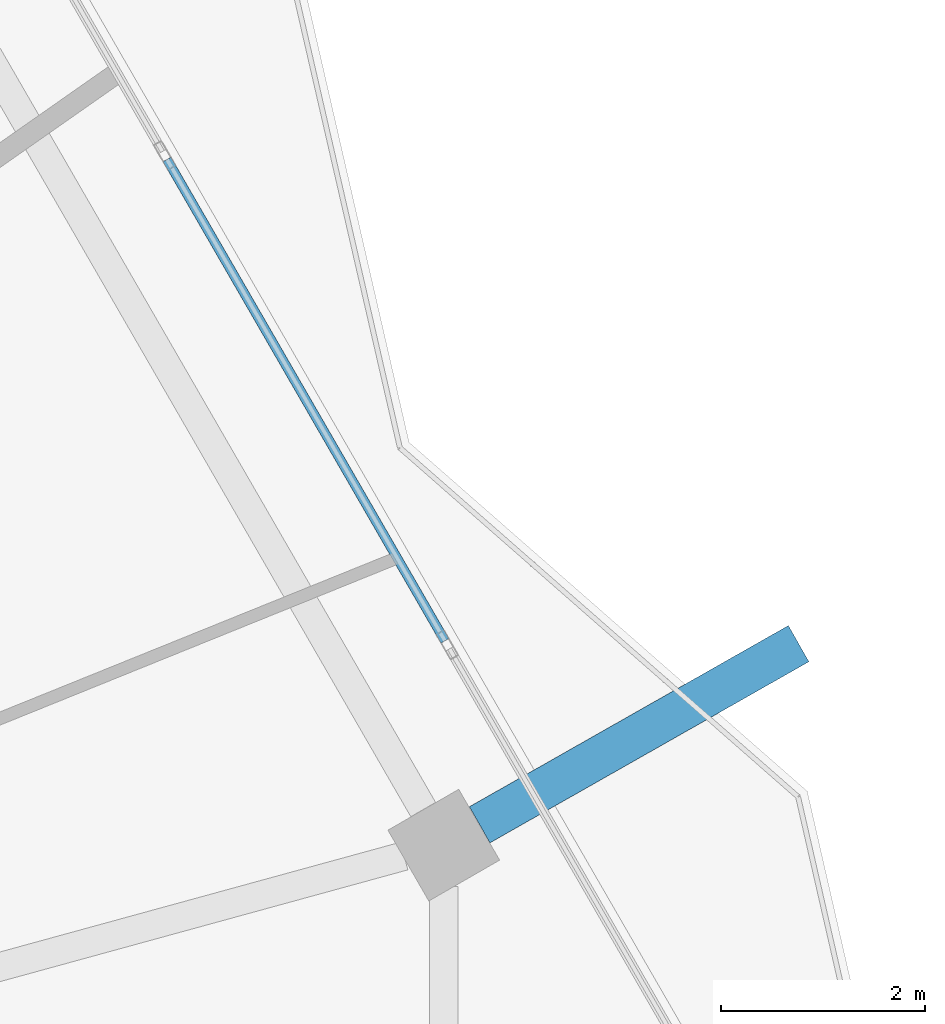
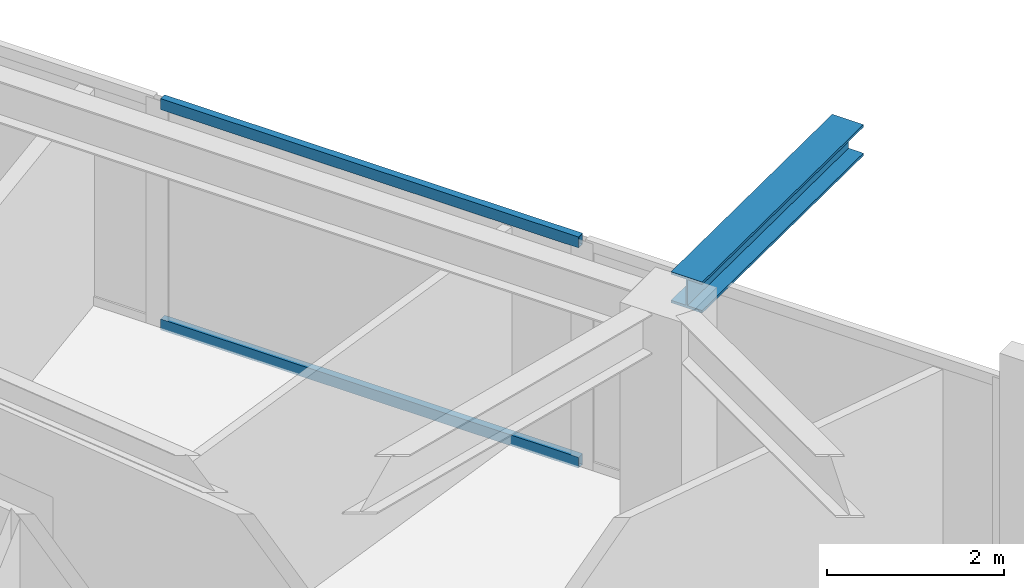
# One storey, part 11 of 21: 2 members, 1 beam, 1 element without a shape of its own.
"""IFC4 building model written with IfcOpenShell, lengths in metres."""

from ifc_helpers import new_model, si_unit, direction, frame, origin, origin_2d, place, context, subcontext, project, spatial, hollow_rectangle, i_section, extrude, material, material_profile, profile_set, type_object, element, aggregate, save


model = new_model("IFC4")

# Units and contexts
model_context = context("Model", 3, precision=1e-05, world=origin(), true_north=direction((0.0, 1.0)))
body_context = subcontext(model_context, "Body", "Model", "MODEL_VIEW")
ifc_project = project(units=[si_unit("LENGTHUNIT", "METRE"), si_unit("AREAUNIT", "SQUARE_METRE"), si_unit("VOLUMEUNIT", "CUBIC_METRE"), si_unit("PLANEANGLEUNIT", "RADIAN"), si_unit("MASSUNIT", "GRAM", prefix="KILO")], contexts=[model_context])

# Site, building, storey
site_placement = place(None, origin())
site = spatial("IfcSite", under=ifc_project, at=site_placement, CompositionType="ELEMENT")
building_placement = place(site_placement, origin())
building = spatial("IfcBuilding", under=site, at=building_placement, Name="Zuhravey Tower", CompositionType="ELEMENT")
storey_placement = place(building_placement, frame((0.0, 0.0, 319.60009765625)))
storey = spatial("IfcBuildingStorey", under=building, at=storey_placement, Name="L81", CompositionType="ELEMENT", Elevation=319.60009765625)

# Curtain wall, members
ifc_material_1 = material(Name="Thermally broken anodised aluminium", Category="aluminium")
curtain_wall_type = type_object("IfcCurtainWallType", Name="Zone 3-4 High-Rise Curtain Wall CW4", PredefinedType="NOTDEFINED", material=ifc_material_1)
curtain_wall_placement = place(storey_placement, origin())
curtain_wall = element("IfcCurtainWall", 1, at=curtain_wall_placement, inside=storey, type_object=curtain_wall_type, Name="L81 CW4 CW-L81-F1-1", PredefinedType="NOTDEFINED")
ifc_material_2 = material(Name="Anodised aluminium", Category="aluminium")
ifc_material_profile_1 = material_profile(ifc_material_2, hollow_rectangle(XDim=0.090087890625, YDim=0.14990234375, WallThickness=0.0048828125, at=origin_2d()), Name="ALU-RHS-90x150x5")
ifc_profile_set_1 = profile_set([ifc_material_profile_1], Name="Anodised aluminium")
member_type = type_object("IfcMemberType", Name="Curtain-Wall Transom 90x150", PredefinedType="USERDEFINED", material=ifc_profile_set_1)
member_1_placement = place(storey_placement, frame((56.28369140625, 45.015625, 0.044921875), z_axis=(0.500027939695, -0.866009272193, 0.0), x_axis=(0.866009272193, 0.500027939695, 0.0)))
member_1 = element("IfcMember", 2, at=member_1_placement, type_object=member_type, Name="CW4 transom 3.1", ObjectType="TRANSOM", PredefinedType="USERDEFINED", context=body_context, shape_type="SweptSolid", body=[
    extrude(hollow_rectangle(XDim=0.090087890625, YDim=0.14990234375, WallThickness=0.0048828125, at=origin_2d()), origin(), (0.0, 0.0, 1.0), 5.442138671875),
])
member_2_placement = place(storey_placement, frame((56.28369140625, 45.015625, 3.076904296875), z_axis=(0.500027939695, -0.866009272193, 0.0), x_axis=(0.866009272193, 0.500027939695, 0.0)))
member_2 = element("IfcMember", 3, at=member_2_placement, type_object=member_type, Name="CW4 transom 3.2", ObjectType="TRANSOM", PredefinedType="USERDEFINED", context=body_context, shape_type="SweptSolid", body=[
    extrude(hollow_rectangle(XDim=0.090087890625, YDim=0.14990234375, WallThickness=0.0048828125, at=origin_2d()), origin(), (0.0, 0.0, 1.0), 5.442138671875),
])
aggregate(curtain_wall, [member_1, member_2])

# Beam
ifc_material_3 = material(Name="Steel SM460", Category="steel")
ifc_material_profile_2 = material_profile(ifc_material_3, i_section(OverallWidth=0.406982421875, OverallDepth=0.427978515625, WebThickness=0.02001953125, FlangeThickness=0.034912109375, at=origin_2d()), Name="H-428x407x20x35")
ifc_profile_set_2 = profile_set([ifc_material_profile_2], Name="Steel SM460")
beam_type = type_object("IfcBeamType", Name="Exoskeleton Node Tie Beam H428x407", PredefinedType="BEAM", material=ifc_profile_set_2)
beam_placement = place(storey_placement, frame((59.3447265625, 38.501953125, 3.3359375), z_axis=(0.86959124663, 0.49377227928, 0.0), x_axis=(-0.49377227928, 0.86959124663, 0.0)))
element("IfcBeam", 4, at=beam_placement, inside=storey, type_object=beam_type, Name="L81 Exoskeleton Node Tie NT1-01", PredefinedType="BEAM", context=body_context, shape_type="SweptSolid", body=[
    extrude(i_section(OverallWidth=0.406982421875, OverallDepth=0.427978515625, WebThickness=0.02001953125, FlangeThickness=0.034912109375, at=origin_2d()), origin(), (0.0, 0.0, 1.0), 3.591064453125),
])

save(model, "model.ifc")
